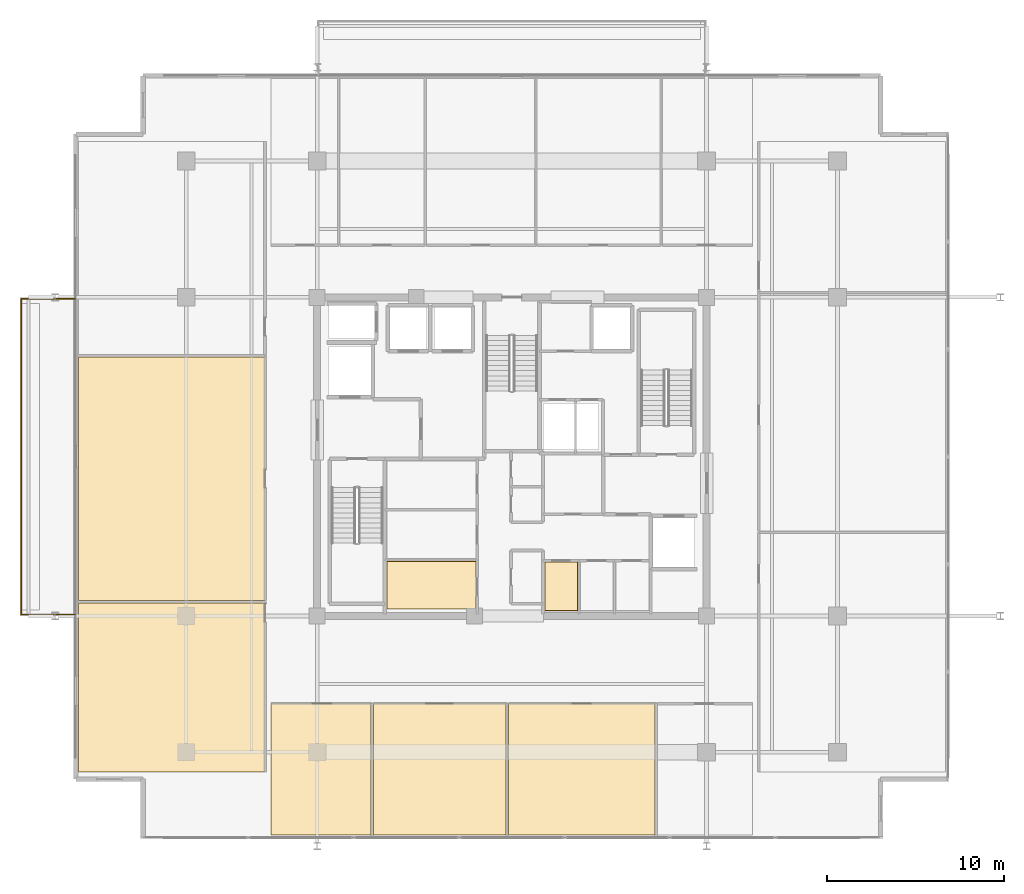
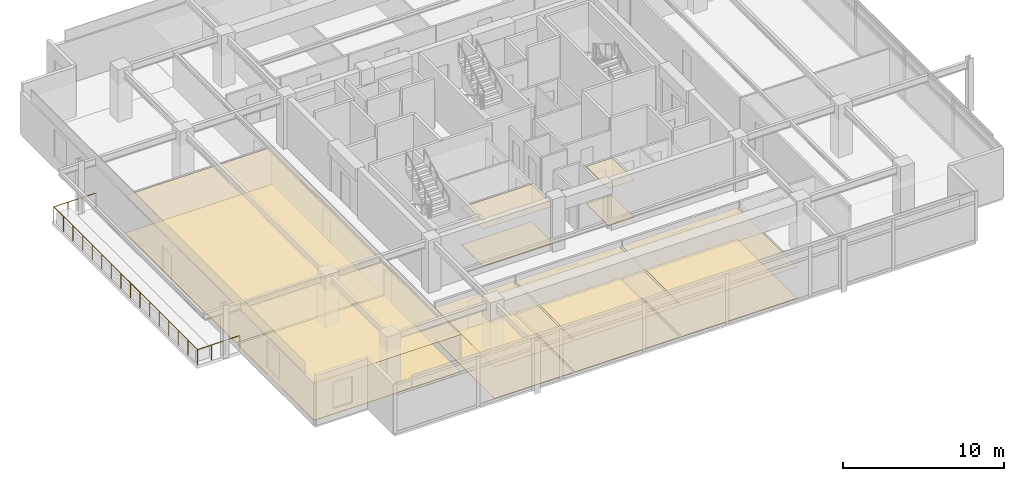
# One storey, part 17 of 20: 14 coverings, 1 railing.
"""IFC4 building model written with IfcOpenShell, lengths in metres."""

from ifc_helpers import new_model, si_unit, direction, frame, origin, origin_2d, place, context, subcontext, project, spatial, polyline, circle, outline, extrude, material, layer, layer_set, type_object, element, save


model = new_model("IFC4")

# Units and contexts
model_context = context("Model", 3, precision=1e-05, world=origin(), true_north=direction((0.0, 1.0)))
body_context = subcontext(model_context, "Body", "Model", "MODEL_VIEW")
ifc_project = project(units=[si_unit("LENGTHUNIT", "METRE"), si_unit("AREAUNIT", "SQUARE_METRE"), si_unit("VOLUMEUNIT", "CUBIC_METRE"), si_unit("PLANEANGLEUNIT", "RADIAN"), si_unit("MASSUNIT", "GRAM", prefix="KILO")], contexts=[model_context])

# Site, building, storey
site_placement = place(None, origin())
site = spatial("IfcSite", under=ifc_project, at=site_placement, CompositionType="ELEMENT")
building_placement = place(site_placement, origin())
building = spatial("IfcBuilding", under=site, at=building_placement, Name="Kovane Verandah Tower", CompositionType="ELEMENT")
storey_placement = place(building_placement, frame((0.0, 0.0, 330.800048828125)))
storey = spatial("IfcBuildingStorey", under=building, at=storey_placement, Name="L77", CompositionType="ELEMENT", Elevation=330.800048828125)

# Coverings
ifc_material_1 = material(Name="Perforated Acoustic Mineral-Fibre Ceiling Tile", Category="gypsum")
ifc_layer_1 = layer(ifc_material_1, 0.02490234375)
ifc_layer_set_1 = layer_set([ifc_layer_1], Name="Perforated Acoustic Mineral-Fibre Ceiling Tile")
covering_type_1 = type_object("IfcCoveringType", Name="CV-CEIL-25", PredefinedType="CEILING", material=ifc_layer_set_1)
covering_1_placement = place(storey_placement, frame((0.0, 0.0, 2.824951171875)))
element("IfcCovering", 1, at=covering_1_placement, inside=storey, type_object=covering_type_1, Name="L77 Project Archive Room Acoustic Ceiling", PredefinedType="CEILING", context=body_context, shape_type="SweptSolid", body=[
    extrude(outline(polyline([(32.93505859375, 18.885009765625), (37.9951171875, 18.885009765625), (37.9951171875, 21.594970703125), (32.93505859375, 21.594970703125), (32.93505859375, 18.885009765625)])), origin(), (0.0, 0.0, 1.0), 0.02490234375),
])
covering_2_placement = place(storey_placement, frame((0.0, 0.0, 2.824951171875)))
element("IfcCovering", 2, at=covering_2_placement, inside=storey, type_object=covering_type_1, Name="L77 Mail and Copy Room Acoustic Ceiling", PredefinedType="CEILING", context=body_context, shape_type="SweptSolid", body=[
    extrude(outline(polyline([(41.864990234375, 18.784912109375), (43.735107421875, 18.784912109375), (43.735107421875, 21.56494140625), (41.864990234375, 21.56494140625), (41.864990234375, 18.784912109375)])), origin(), (0.0, 0.0, 1.0), 0.02490234375),
])
covering_3_placement = place(storey_placement, frame((0.0, 0.0, 2.389892578125)))
element("IfcCovering", 3, at=covering_3_placement, inside=storey, type_object=covering_type_1, Name="L77 Executive Office S1 Acoustic Ceiling", PredefinedType="CEILING", context=body_context, shape_type="SweptSolid", body=[
    extrude(outline(polyline([(26.39990234375, 6.1318359375), (32.0419921875, 6.1318359375), (32.0419921875, 13.550048828125), (26.39990234375, 13.550048828125), (26.39990234375, 6.1318359375)])), origin(), (0.0, 0.0, 1.0), 0.025146484375),
])
covering_4_placement = place(storey_placement, frame((0.0, 0.0, 2.389892578125)))
element("IfcCovering", 4, at=covering_4_placement, inside=storey, type_object=covering_type_1, Name="L77 Client Boardroom S2 Acoustic Ceiling", PredefinedType="CEILING", context=body_context, shape_type="SweptSolid", body=[
    extrude(outline(polyline([(32.181884765625, 6.1318359375), (39.657958984375, 6.1318359375), (39.657958984375, 13.550048828125), (32.181884765625, 13.550048828125), (32.181884765625, 6.1318359375)])), origin(), (0.0, 0.0, 1.0), 0.025146484375),
])
covering_5_placement = place(storey_placement, frame((0.0, 0.0, 2.389892578125)))
element("IfcCovering", 5, at=covering_5_placement, inside=storey, type_object=covering_type_1, Name="L77 Meeting Room S3 Acoustic Ceiling", PredefinedType="CEILING", context=body_context, shape_type="SweptSolid", body=[
    extrude(outline(polyline([(39.798095703125, 6.1318359375), (48.090087890625, 6.1318359375), (48.090087890625, 13.550048828125), (39.798095703125, 13.550048828125), (39.798095703125, 6.1318359375)])), origin(), (0.0, 0.0, 1.0), 0.025146484375),
])
covering_6_placement = place(storey_placement, frame((0.0, 0.0, 2.824951171875)))
element("IfcCovering", 6, at=covering_6_placement, inside=storey, type_object=covering_type_1, Name="L77 Breakout Pantry W1 Acoustic Ceiling", PredefinedType="CEILING", context=body_context, shape_type="SweptSolid", body=[
    extrude(outline(polyline([(15.513671875, 9.681884765625), (26.050048828125, 9.681884765625), (26.050048828125, 19.233642578125), (15.513671875, 19.233642578125), (15.513671875, 9.681884765625)])), origin(), (0.0, 0.0, 1.0), 0.02490234375),
])
covering_7_placement = place(storey_placement, frame((0.0, 0.0, 2.824951171875)))
element("IfcCovering", 7, at=covering_7_placement, inside=storey, type_object=covering_type_1, Name="L77 Collaboration Hub W2 Acoustic Ceiling", PredefinedType="CEILING", context=body_context, shape_type="SweptSolid", body=[
    extrude(outline(polyline([(15.513671875, 19.37353515625), (26.050048828125, 19.37353515625), (26.050048828125, 33.1318359375), (15.513671875, 33.1318359375), (15.513671875, 19.37353515625)])), origin(), (0.0, 0.0, 1.0), 0.02490234375),
])
ifc_material_2 = material(Name="Polished Terrazzo and Raised-Access Carpet Tile Finish", Category="concrete")
ifc_layer_2 = layer(ifc_material_2, 0.030029296875)
ifc_layer_set_2 = layer_set([ifc_layer_2], Name="Polished Terrazzo and Raised-Access Carpet Tile Finish")
covering_type_2 = type_object("IfcCoveringType", Name="CV-FLOR-30", PredefinedType="FLOORING", material=ifc_layer_set_2)
covering_8_placement = place(storey_placement, origin())
element("IfcCovering", 8, at=covering_8_placement, inside=storey, type_object=covering_type_2, Name="L77 Project Archive Room Floor Finish", PredefinedType="FLOORING", context=body_context, shape_type="SweptSolid", body=[
    extrude(outline(polyline([(32.949951171875, 18.89990234375), (37.97998046875, 18.89990234375), (37.97998046875, 21.580078125), (32.949951171875, 21.580078125), (32.949951171875, 18.89990234375)])), origin(), (0.0, 0.0, 1.0), 0.030029296875),
])
covering_9_placement = place(storey_placement, origin())
element("IfcCovering", 9, at=covering_9_placement, inside=storey, type_object=covering_type_2, Name="L77 Mail and Copy Room Floor Finish", PredefinedType="FLOORING", context=body_context, shape_type="SweptSolid", body=[
    extrude(outline(polyline([(41.8798828125, 18.800048828125), (43.719970703125, 18.800048828125), (43.719970703125, 21.550048828125), (41.8798828125, 21.550048828125), (41.8798828125, 18.800048828125)])), origin(), (0.0, 0.0, 1.0), 0.030029296875),
])
covering_10_placement = place(storey_placement, origin())
element("IfcCovering", 10, at=covering_10_placement, inside=storey, type_object=covering_type_2, Name="L77 Executive Office S1 Floor Finish", PredefinedType="FLOORING", context=body_context, shape_type="SweptSolid", body=[
    extrude(outline(polyline([(26.39990234375, 6.1318359375), (32.0419921875, 6.1318359375), (32.0419921875, 13.550048828125), (26.39990234375, 13.550048828125), (26.39990234375, 6.1318359375)])), origin(), (0.0, 0.0, 1.0), 0.030029296875),
])
covering_11_placement = place(storey_placement, origin())
element("IfcCovering", 11, at=covering_11_placement, inside=storey, type_object=covering_type_2, Name="L77 Client Boardroom S2 Floor Finish", PredefinedType="FLOORING", context=body_context, shape_type="SweptSolid", body=[
    extrude(outline(polyline([(32.181884765625, 6.1318359375), (39.657958984375, 6.1318359375), (39.657958984375, 13.550048828125), (32.181884765625, 13.550048828125), (32.181884765625, 6.1318359375)])), origin(), (0.0, 0.0, 1.0), 0.030029296875),
])
covering_12_placement = place(storey_placement, origin())
element("IfcCovering", 12, at=covering_12_placement, inside=storey, type_object=covering_type_2, Name="L77 Meeting Room S3 Floor Finish", PredefinedType="FLOORING", context=body_context, shape_type="SweptSolid", body=[
    extrude(outline(polyline([(39.798095703125, 6.1318359375), (48.090087890625, 6.1318359375), (48.090087890625, 13.550048828125), (39.798095703125, 13.550048828125), (39.798095703125, 6.1318359375)])), origin(), (0.0, 0.0, 1.0), 0.030029296875),
])
covering_13_placement = place(storey_placement, origin())
element("IfcCovering", 13, at=covering_13_placement, inside=storey, type_object=covering_type_2, Name="L77 Breakout Pantry W1 Floor Finish", PredefinedType="FLOORING", context=body_context, shape_type="SweptSolid", body=[
    extrude(outline(polyline([(15.513671875, 9.681884765625), (26.050048828125, 9.681884765625), (26.050048828125, 19.233642578125), (15.513671875, 19.233642578125), (15.513671875, 9.681884765625)])), origin(), (0.0, 0.0, 1.0), 0.030029296875),
])
covering_14_placement = place(storey_placement, origin())
element("IfcCovering", 14, at=covering_14_placement, inside=storey, type_object=covering_type_2, Name="L77 Collaboration Hub W2 Floor Finish", PredefinedType="FLOORING", context=body_context, shape_type="SweptSolid", body=[
    extrude(outline(polyline([(15.513671875, 19.37353515625), (26.050048828125, 19.37353515625), (26.050048828125, 33.1318359375), (15.513671875, 33.1318359375), (15.513671875, 19.37353515625)])), origin(), (0.0, 0.0, 1.0), 0.030029296875),
])

# Railing
ifc_material_3 = material(Name="Laminated Glass and Pale-Champagne Stainless Balustrade", Category="glass")
railing_type = type_object("IfcRailingType", Name="RL-BAL-1150", PredefinedType="BALUSTRADE", material=ifc_material_3)
railing_placement = place(storey_placement, frame((15.313720703125, 18.580078125, 0.0)))
element("IfcRailing", 15, at=railing_placement, inside=storey, type_object=railing_type, Name="L77 W Verandah Glass Balustrade", PredefinedType="BALUSTRADE", context=body_context, shape_type="SweptSolid", body=[
    extrude(circle(Radius=0.02392578125, at=origin_2d()), frame((0.0, 0.0, 1.1259765625), z_axis=(-1.0, 0.0, 0.0), x_axis=(0.0, -1.0, 0.0)), (0.0, 0.0, 1.0), 3.02001953125),
    extrude(circle(Radius=0.02392578125, at=origin_2d()), frame((-3.02001953125, 0.0, 1.1259765625), z_axis=(0.0, 1.0, 0.0), x_axis=(-1.0, 0.0, 0.0)), (0.0, 0.0, 1.0), 17.83984375),
    extrude(circle(Radius=0.02392578125, at=origin_2d()), frame((-3.02001953125, 17.83984375, 1.1259765625), z_axis=(1.0, 0.0, 0.0), x_axis=(0.0, 1.0, 0.0)), (0.0, 0.0, 1.0), 3.02001953125),
    extrude(circle(Radius=0.02099609375, at=origin_2d()), origin(), (0.0, 0.0, 1.0), 1.101806640625),
    extrude(circle(Radius=0.02099609375, at=origin_2d()), frame((-1.006591796875, 0.0, 0.0)), (0.0, 0.0, 1.0), 1.101806640625),
    extrude(circle(Radius=0.02099609375, at=origin_2d()), frame((-2.013427734375, 0.0, 0.0)), (0.0, 0.0, 1.0), 1.101806640625),
    extrude(circle(Radius=0.02099609375, at=origin_2d()), frame((-3.02001953125, 0.0, 0.0)), (0.0, 0.0, 1.0), 1.101806640625),
    extrude(circle(Radius=0.02099609375, at=origin_2d()), frame((-3.02001953125, 1.189208984375, 0.0)), (0.0, 0.0, 1.0), 1.101806640625),
    extrude(circle(Radius=0.02099609375, at=origin_2d()), frame((-3.02001953125, 2.378662109375, 0.0)), (0.0, 0.0, 1.0), 1.101806640625),
    extrude(circle(Radius=0.02099609375, at=origin_2d()), frame((-3.02001953125, 3.56787109375, 0.0)), (0.0, 0.0, 1.0), 1.101806640625),
    extrude(circle(Radius=0.02099609375, at=origin_2d()), frame((-3.02001953125, 4.75732421875, 0.0)), (0.0, 0.0, 1.0), 1.101806640625),
    extrude(circle(Radius=0.02099609375, at=origin_2d()), frame((-3.02001953125, 5.946533203125, 0.0)), (0.0, 0.0, 1.0), 1.101806640625),
    extrude(circle(Radius=0.02099609375, at=origin_2d()), frame((-3.02001953125, 7.135986328125, 0.0)), (0.0, 0.0, 1.0), 1.101806640625),
    extrude(circle(Radius=0.02099609375, at=origin_2d()), frame((-3.02001953125, 8.3251953125, 0.0)), (0.0, 0.0, 1.0), 1.101806640625),
    extrude(circle(Radius=0.02099609375, at=origin_2d()), frame((-3.02001953125, 9.5146484375, 0.0)), (0.0, 0.0, 1.0), 1.101806640625),
    extrude(circle(Radius=0.02099609375, at=origin_2d()), frame((-3.02001953125, 10.703857421875, 0.0)), (0.0, 0.0, 1.0), 1.101806640625),
    extrude(circle(Radius=0.02099609375, at=origin_2d()), frame((-3.02001953125, 11.893310546875, 0.0)), (0.0, 0.0, 1.0), 1.101806640625),
    extrude(circle(Radius=0.02099609375, at=origin_2d()), frame((-3.02001953125, 13.08251953125, 0.0)), (0.0, 0.0, 1.0), 1.101806640625),
    extrude(circle(Radius=0.02099609375, at=origin_2d()), frame((-3.02001953125, 14.27197265625, 0.0)), (0.0, 0.0, 1.0), 1.101806640625),
    extrude(circle(Radius=0.02099609375, at=origin_2d()), frame((-3.02001953125, 15.461181640625, 0.0)), (0.0, 0.0, 1.0), 1.101806640625),
    extrude(circle(Radius=0.02099609375, at=origin_2d()), frame((-3.02001953125, 16.650634765625, 0.0)), (0.0, 0.0, 1.0), 1.101806640625),
    extrude(circle(Radius=0.02099609375, at=origin_2d()), frame((-3.02001953125, 17.83984375, 0.0)), (0.0, 0.0, 1.0), 1.101806640625),
    extrude(circle(Radius=0.02099609375, at=origin_2d()), frame((-2.013427734375, 17.83984375, 0.0)), (0.0, 0.0, 1.0), 1.101806640625),
    extrude(circle(Radius=0.02099609375, at=origin_2d()), frame((-1.006591796875, 17.83984375, 0.0)), (0.0, 0.0, 1.0), 1.101806640625),
    extrude(circle(Radius=0.02099609375, at=origin_2d()), frame((0.0, 17.83984375, 0.0)), (0.0, 0.0, 1.0), 1.101806640625),
])

save(model, "model.ifc")
